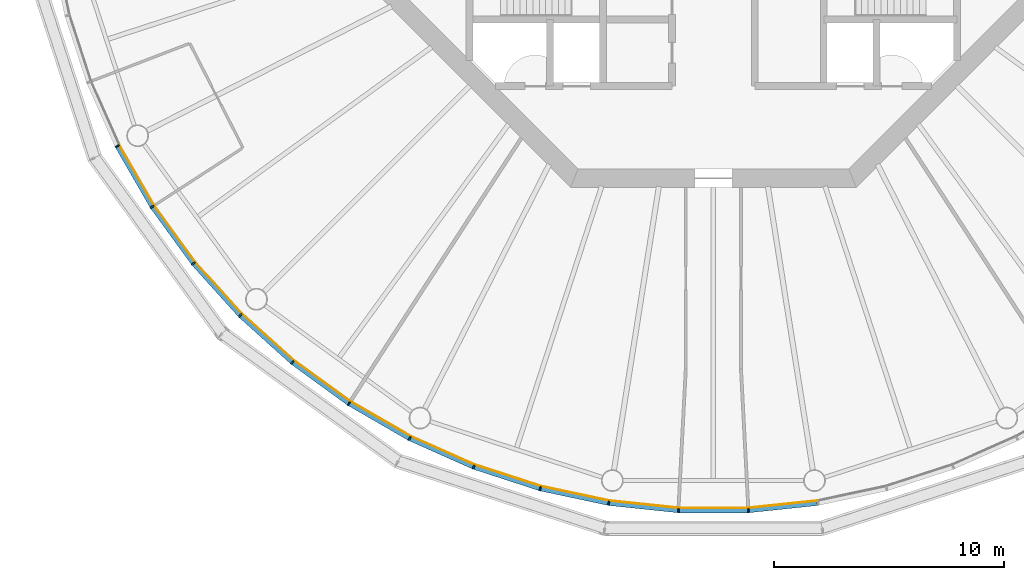
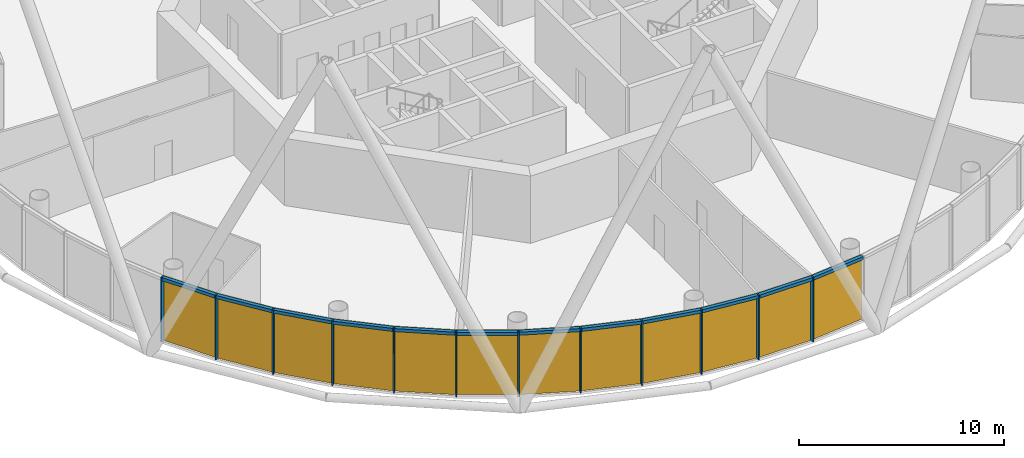
# One storey, part 7 of 13: 24 members, 4 curtain walls.
"""IFC4 building model written with IfcOpenShell, lengths in metres."""

from ifc_helpers import new_model, si_unit, direction, frame, origin, origin_2d, place, context, subcontext, project, spatial, polyline, rectangle, outline, extrude, material, layer, layer_set, material_profile, profile_set, type_object, element, aggregate, save


model = new_model("IFC4")

# Units and contexts
model_context = context("Model", 3, precision=1e-05, world=origin(), true_north=direction((0.0, 1.0)))
body_context = subcontext(model_context, "Body", "Model", "MODEL_VIEW")
ifc_project = project(units=[si_unit("LENGTHUNIT", "METRE"), si_unit("AREAUNIT", "SQUARE_METRE"), si_unit("VOLUMEUNIT", "CUBIC_METRE"), si_unit("PLANEANGLEUNIT", "RADIAN"), si_unit("MASSUNIT", "GRAM", prefix="KILO")], contexts=[model_context])

# Member
ifc_material_1 = material(Name="Anodised aluminium", Category="aluminium")
ifc_material_profile_1 = material_profile(ifc_material_1, rectangle(XDim=0.06494140625, YDim=0.195068359375, at=origin_2d()), Name="Mullion 65 x 195 mm anodised aluminium")
ifc_profile_set_1 = profile_set([ifc_material_profile_1], Name="Anodised aluminium")
member_type_1 = type_object("IfcMemberType", Name="Mullion 65 x 195 mm anodised aluminium", PredefinedType="MULLION", material=ifc_profile_set_1)
site_placement = place(None, origin())
building_placement = place(site_placement, origin())
storey_placement = place(building_placement, frame((0.0, 0.0, 310.0)))
member_1_placement = place(storey_placement, frame((64.073974609375, 66.7900390625, 0.0), z_axis=(0.0, 0.0, 1.0), x_axis=(0.45399049974, -0.891006524188, 0.0)))
member_1 = element("IfcMember", 1, at=member_1_placement, type_object=member_type_1, Name="MULLION L71-33", PredefinedType="MULLION", context=body_context, shape_type="SweptSolid", body=[
    extrude(rectangle(XDim=0.06494140625, YDim=0.195068359375, at=origin_2d()), origin(), (0.0, 0.0, 1.0), 3.85009765625),
])

member_2_placement = place(storey_placement, frame((65.5966796875, 64.15234375, 0.0), z_axis=(0.0, 0.0, 1.0), x_axis=(0.544639035015, -0.838670567945, 0.0)))
member_2 = element("IfcMember", 2, at=member_2_placement, type_object=member_type_1, Name="MULLION L71-34", PredefinedType="MULLION", context=body_context, shape_type="SweptSolid", body=[
    extrude(rectangle(XDim=0.06494140625, YDim=0.195068359375, at=origin_2d()), origin(), (0.0, 0.0, 1.0), 3.85009765625),
])

member_3_placement = place(storey_placement, frame((67.386962890625, 61.688232421875, 0.0), z_axis=(0.0, 0.0, 1.0), x_axis=(0.62932039105, -0.777145961457, 0.0)))
member_3 = element("IfcMember", 3, at=member_3_placement, type_object=member_type_1, Name="MULLION L71-35", PredefinedType="MULLION", context=body_context, shape_type="SweptSolid", body=[
    extrude(rectangle(XDim=0.06494140625, YDim=0.195068359375, at=origin_2d()), origin(), (0.0, 0.0, 1.0), 3.85009765625),
])

member_4_placement = place(storey_placement, frame((69.425048828125, 59.425048828125, 0.0), z_axis=(0.0, 0.0, 1.0), x_axis=(0.707106781187, -0.707106781187, 0.0)))
member_4 = element("IfcMember", 4, at=member_4_placement, type_object=member_type_1, Name="MULLION L71-36", PredefinedType="MULLION", context=body_context, shape_type="SweptSolid", body=[
    extrude(rectangle(XDim=0.06494140625, YDim=0.195068359375, at=origin_2d()), origin(), (0.0, 0.0, 1.0), 3.85009765625),
])

member_5_placement = place(storey_placement, frame((71.688232421875, 57.386962890625, 0.0), z_axis=(0.0, 0.0, 1.0), x_axis=(0.777145961457, -0.62932039105, 0.0)))
member_5 = element("IfcMember", 5, at=member_5_placement, type_object=member_type_1, Name="MULLION L71-37", PredefinedType="MULLION", context=body_context, shape_type="SweptSolid", body=[
    extrude(rectangle(XDim=0.06494140625, YDim=0.195068359375, at=origin_2d()), origin(), (0.0, 0.0, 1.0), 3.85009765625),
])

member_6_placement = place(storey_placement, frame((74.15234375, 55.5966796875, 0.0), z_axis=(0.0, 0.0, 1.0), x_axis=(0.838670567945, -0.544639035015, 0.0)))
member_6 = element("IfcMember", 6, at=member_6_placement, type_object=member_type_1, Name="MULLION L71-38", PredefinedType="MULLION", context=body_context, shape_type="SweptSolid", body=[
    extrude(rectangle(XDim=0.06494140625, YDim=0.195068359375, at=origin_2d()), origin(), (0.0, 0.0, 1.0), 3.85009765625),
])

member_7_placement = place(storey_placement, frame((76.7900390625, 54.073974609375, 0.0), z_axis=(0.0, 0.0, 1.0), x_axis=(0.891006524188, -0.45399049974, 0.0)))
member_7 = element("IfcMember", 7, at=member_7_placement, type_object=member_type_1, Name="MULLION L71-39", PredefinedType="MULLION", context=body_context, shape_type="SweptSolid", body=[
    extrude(rectangle(XDim=0.06494140625, YDim=0.195068359375, at=origin_2d()), origin(), (0.0, 0.0, 1.0), 3.85009765625),
])

member_8_placement = place(storey_placement, frame((79.572509765625, 52.835205078125, 0.0), z_axis=(0.0, 0.0, 1.0), x_axis=(0.933580426497, -0.358367949545, 0.0)))
member_8 = element("IfcMember", 8, at=member_8_placement, type_object=member_type_1, Name="MULLION L71-40", PredefinedType="MULLION", context=body_context, shape_type="SweptSolid", body=[
    extrude(rectangle(XDim=0.06494140625, YDim=0.195068359375, at=origin_2d()), origin(), (0.0, 0.0, 1.0), 3.85009765625),
])

member_9_placement = place(storey_placement, frame((82.468994140625, 51.89404296875, 0.0), z_axis=(0.0, 0.0, 1.0), x_axis=(0.965925826289, -0.258819045103, 0.0)))
member_9 = element("IfcMember", 9, at=member_9_placement, type_object=member_type_1, Name="MULLION L71-41", PredefinedType="MULLION", context=body_context, shape_type="SweptSolid", body=[
    extrude(rectangle(XDim=0.06494140625, YDim=0.195068359375, at=origin_2d()), origin(), (0.0, 0.0, 1.0), 3.85009765625),
])

member_10_placement = place(storey_placement, frame((85.4482421875, 51.2607421875, 0.0), z_axis=(0.0, 0.0, 1.0), x_axis=(0.987688340595, -0.15643446504, 0.0)))
member_10 = element("IfcMember", 10, at=member_10_placement, type_object=member_type_1, Name="MULLION L71-42", PredefinedType="MULLION", context=body_context, shape_type="SweptSolid", body=[
    extrude(rectangle(XDim=0.06494140625, YDim=0.195068359375, at=origin_2d()), origin(), (0.0, 0.0, 1.0), 3.85009765625),
])

member_11_placement = place(storey_placement, frame((88.47705078125, 50.9423828125, 0.0), z_axis=(0.0, 0.0, 1.0), x_axis=(0.998629534755, -0.052335956243, 0.0)))
member_11 = element("IfcMember", 11, at=member_11_placement, type_object=member_type_1, Name="MULLION L71-43", PredefinedType="MULLION", context=body_context, shape_type="SweptSolid", body=[
    extrude(rectangle(XDim=0.06494140625, YDim=0.195068359375, at=origin_2d()), origin(), (0.0, 0.0, 1.0), 3.85009765625),
])

member_12_placement = place(storey_placement, frame((91.52294921875, 50.9423828125, 0.0), z_axis=(0.0, 0.0, 1.0), x_axis=(0.998629534755, 0.052335956243, 0.0)))
member_12 = element("IfcMember", 12, at=member_12_placement, type_object=member_type_1, Name="MULLION L71-44", PredefinedType="MULLION", context=body_context, shape_type="SweptSolid", body=[
    extrude(rectangle(XDim=0.06494140625, YDim=0.195068359375, at=origin_2d()), origin(), (0.0, 0.0, 1.0), 3.85009765625),
])

ifc_material_2 = material(Name="Anodised aluminium", Category="aluminium")
ifc_material_profile_2 = material_profile(ifc_material_2, rectangle(XDim=0.195068359375, YDim=0.179931640625, at=origin_2d()), Name="Transom 180 x 195 mm anodised aluminium")
ifc_profile_set_2 = profile_set([ifc_material_profile_2], Name="Anodised aluminium")
member_type_2 = type_object("IfcMemberType", Name="Transom 180 x 195 mm anodised aluminium", PredefinedType="USERDEFINED", material=ifc_profile_set_2)
member_13_placement = place(storey_placement, frame((64.092529296875, 66.75732421875, 3.760009765625), z_axis=(0.500028367561, -0.866009025146, 0.0), x_axis=(0.866009025146, 0.500028367561, 0.0)))
member_13 = element("IfcMember", 13, at=member_13_placement, type_object=member_type_2, Name="TRANSOM L71-33", ObjectType="TRANSOM", PredefinedType="USERDEFINED", context=body_context, shape_type="SweptSolid", body=[
    extrude(rectangle(XDim=0.195068359375, YDim=0.179931640625, at=origin_2d()), origin(), (0.0, 0.0, 1.0), 2.970458984375),
])

member_14_placement = place(storey_placement, frame((65.618896484375, 64.121826171875, 3.760009765625), z_axis=(0.587765987476, -0.809030990733, 0.0), x_axis=(0.809030990733, 0.587765987476, 0.0)))
member_14 = element("IfcMember", 14, at=member_14_placement, type_object=member_type_2, Name="TRANSOM L71-34", ObjectType="TRANSOM", PredefinedType="USERDEFINED", context=body_context, shape_type="SweptSolid", body=[
    extrude(rectangle(XDim=0.195068359375, YDim=0.179931640625, at=origin_2d()), origin(), (0.0, 0.0, 1.0), 2.97021484375),
])

member_15_placement = place(storey_placement, frame((67.412109375, 61.660400390625, 3.760009765625), z_axis=(0.669110027395, -0.743163354343, 0.0), x_axis=(0.743163354343, 0.669110027395, 0.0)))
member_15 = element("IfcMember", 15, at=member_15_placement, type_object=member_type_2, Name="TRANSOM L71-35", ObjectType="TRANSOM", PredefinedType="USERDEFINED", context=body_context, shape_type="SweptSolid", body=[
    extrude(rectangle(XDim=0.195068359375, YDim=0.179931640625, at=origin_2d()), origin(), (0.0, 0.0, 1.0), 2.970458984375),
])

member_16_placement = place(storey_placement, frame((69.452880859375, 59.399658203125, 3.760009765625), z_axis=(0.743163354343, -0.669110027395, 0.0), x_axis=(0.669110027395, 0.743163354343, 0.0)))
member_16 = element("IfcMember", 16, at=member_16_placement, type_object=member_type_2, Name="TRANSOM L71-36", ObjectType="TRANSOM", PredefinedType="USERDEFINED", context=body_context, shape_type="SweptSolid", body=[
    extrude(rectangle(XDim=0.195068359375, YDim=0.179931640625, at=origin_2d()), origin(), (0.0, 0.0, 1.0), 2.970458984375),
])

member_17_placement = place(storey_placement, frame((71.71875, 57.36474609375, 3.760009765625), z_axis=(0.809030990733, -0.587765987476, 0.0), x_axis=(0.587765987476, 0.809030990733, 0.0)))
member_17 = element("IfcMember", 17, at=member_17_placement, type_object=member_type_2, Name="TRANSOM L71-37", ObjectType="TRANSOM", PredefinedType="USERDEFINED", context=body_context, shape_type="SweptSolid", body=[
    extrude(rectangle(XDim=0.195068359375, YDim=0.179931640625, at=origin_2d()), origin(), (0.0, 0.0, 1.0), 2.97021484375),
])

member_18_placement = place(storey_placement, frame((74.184814453125, 55.577880859375, 3.760009765625), z_axis=(0.866009025146, -0.500028367561, 0.0), x_axis=(0.500028367561, 0.866009025146, 0.0)))
member_18 = element("IfcMember", 18, at=member_18_placement, type_object=member_type_2, Name="TRANSOM L71-38", ObjectType="TRANSOM", PredefinedType="USERDEFINED", context=body_context, shape_type="SweptSolid", body=[
    extrude(rectangle(XDim=0.195068359375, YDim=0.179931640625, at=origin_2d()), origin(), (0.0, 0.0, 1.0), 2.970458984375),
])

member_19_placement = place(storey_placement, frame((76.82421875, 54.05859375, 3.760009765625), z_axis=(0.913550406593, -0.406725527369, 0.0), x_axis=(0.406725527369, 0.913550406593, 0.0)))
member_19 = element("IfcMember", 19, at=member_19_placement, type_object=member_type_2, Name="TRANSOM L71-39", ObjectType="TRANSOM", PredefinedType="USERDEFINED", context=body_context, shape_type="SweptSolid", body=[
    extrude(rectangle(XDim=0.195068359375, YDim=0.179931640625, at=origin_2d()), origin(), (0.0, 0.0, 1.0), 2.970703125),
])

member_20_placement = place(storey_placement, frame((79.608154296875, 52.823486328125, 3.760009765625), z_axis=(0.951047960094, -0.309043326415, 0.0), x_axis=(0.309043326415, 0.951047960094, 0.0)))
member_20 = element("IfcMember", 20, at=member_20_placement, type_object=member_type_2, Name="TRANSOM L71-40", ObjectType="TRANSOM", PredefinedType="USERDEFINED", context=body_context, shape_type="SweptSolid", body=[
    extrude(rectangle(XDim=0.195068359375, YDim=0.179931640625, at=origin_2d()), origin(), (0.0, 0.0, 1.0), 2.970458984375),
])

member_21_placement = place(storey_placement, frame((82.505859375, 51.885986328125, 3.760009765625), z_axis=(0.978141510112, -0.207940342877, 0.0), x_axis=(0.207940342877, 0.978141510112, 0.0)))
member_21 = element("IfcMember", 21, at=member_21_placement, type_object=member_type_2, Name="TRANSOM L71-41", ObjectType="TRANSOM", PredefinedType="USERDEFINED", context=body_context, shape_type="SweptSolid", body=[
    extrude(rectangle(XDim=0.195068359375, YDim=0.179931640625, at=origin_2d()), origin(), (0.0, 0.0, 1.0), 2.970458984375),
])

member_22_placement = place(storey_placement, frame((85.485595703125, 51.256591796875, 3.760009765625), z_axis=(0.994528397827, -0.104466577987, 0.0), x_axis=(0.104466577987, 0.994528397827, 0.0)))
member_22 = element("IfcMember", 22, at=member_22_placement, type_object=member_type_2, Name="TRANSOM L71-42", ObjectType="TRANSOM", PredefinedType="USERDEFINED", context=body_context, shape_type="SweptSolid", body=[
    extrude(rectangle(XDim=0.195068359375, YDim=0.179931640625, at=origin_2d()), origin(), (0.0, 0.0, 1.0), 2.970458984375),
])

member_23_placement = place(storey_placement, frame((88.5146484375, 50.942138671875, 3.760009765625), z_axis=(1.0, 0.0, 0.0), x_axis=(0.0, 1.0, 0.0)))
member_23 = element("IfcMember", 23, at=member_23_placement, type_object=member_type_2, Name="TRANSOM L71-43", ObjectType="TRANSOM", PredefinedType="USERDEFINED", context=body_context, shape_type="SweptSolid", body=[
    extrude(rectangle(XDim=0.195068359375, YDim=0.179931640625, at=origin_2d()), origin(), (0.0, 0.0, 1.0), 2.970703125),
])

member_24_placement = place(storey_placement, frame((91.560302734375, 50.9462890625, 3.760009765625), z_axis=(0.994528397827, 0.104466577987, 0.0), x_axis=(-0.104466577987, 0.994528397827, 0.0)))
member_24 = element("IfcMember", 24, at=member_24_placement, type_object=member_type_2, Name="TRANSOM L71-44", ObjectType="TRANSOM", PredefinedType="USERDEFINED", context=body_context, shape_type="SweptSolid", body=[
    extrude(rectangle(XDim=0.195068359375, YDim=0.179931640625, at=origin_2d()), origin(), (0.0, 0.0, 1.0), 2.970458984375),
])

# Site, building, storey
site = spatial("IfcSite", under=ifc_project, at=site_placement, CompositionType="ELEMENT")
building = spatial("IfcBuilding", under=site, at=building_placement, Name="Entoto Ring Tower", CompositionType="ELEMENT")
storey = spatial("IfcBuildingStorey", under=building, at=storey_placement, Name="L71", CompositionType="ELEMENT", Elevation=310.0)

# Curtain wall
ifc_material_3 = material(Name="Clear low-iron glass", Category="glass")
ifc_layer = layer(ifc_material_3, 0.033935546875)
ifc_layer_set = layer_set([ifc_layer], Name="Clear low-iron glass")
curtain_wall_type = type_object("IfcCurtainWallType", Name="Curtain wall system CW5 glazing 34 mm", PredefinedType="NOTDEFINED", material=ifc_layer_set)
curtain_wall_1_placement = place(storey_placement, origin())
curtain_wall_1 = element("IfcCurtainWall", 25, at=curtain_wall_1_placement, inside=storey, type_object=curtain_wall_type, Name="CW5 L71-12", PredefinedType="NOTDEFINED", context=body_context, shape_type="SweptSolid", body=[
    extrude(outline(polyline([(64.160888671875, 66.834228515625), (65.678466796875, 64.20556640625), (67.462646484375, 61.749755859375), (69.493896484375, 59.493896484375), (69.51806640625, 59.51806640625), (67.4892578125, 61.771240234375), (65.70703125, 64.22412109375), (64.191162109375, 66.849853515625), (64.160888671875, 66.834228515625)])), origin(), (0.0, 0.0, 1.0), 3.85009765625),
])

aggregate(curtain_wall_1, [member_1, member_2, member_3, member_13, member_14, member_15])

curtain_wall_2_placement = place(storey_placement, origin())
curtain_wall_2 = element("IfcCurtainWall", 26, at=curtain_wall_2_placement, inside=storey, type_object=curtain_wall_type, Name="CW5 L71-13", PredefinedType="NOTDEFINED", context=body_context, shape_type="SweptSolid", body=[
    extrude(outline(polyline([(69.493896484375, 59.493896484375), (71.749755859375, 57.462646484375), (74.20556640625, 55.678466796875), (76.834228515625, 54.160888671875), (76.849853515625, 54.191162109375), (74.22412109375, 55.70703125), (71.771240234375, 57.4892578125), (69.51806640625, 59.51806640625), (69.493896484375, 59.493896484375)])), origin(), (0.0, 0.0, 1.0), 3.85009765625),
])

aggregate(curtain_wall_2, [member_4, member_5, member_6, member_16, member_17, member_18])

curtain_wall_3_placement = place(storey_placement, origin())
curtain_wall_3 = element("IfcCurtainWall", 27, at=curtain_wall_3_placement, inside=storey, type_object=curtain_wall_type, Name="CW5 L71-14", PredefinedType="NOTDEFINED", context=body_context, shape_type="SweptSolid", body=[
    extrude(outline(polyline([(76.834228515625, 54.160888671875), (79.607421875, 52.92626953125), (82.494140625, 51.988037109375), (85.46337890625, 51.35693359375), (85.46875, 51.390625), (82.503173828125, 52.02099609375), (79.61962890625, 52.9580078125), (76.849853515625, 54.191162109375), (76.834228515625, 54.160888671875)])), origin(), (0.0, 0.0, 1.0), 3.85009765625),
])

aggregate(curtain_wall_3, [member_7, member_8, member_9, member_19, member_20, member_21])

curtain_wall_4_placement = place(storey_placement, origin())
curtain_wall_4 = element("IfcCurtainWall", 28, at=curtain_wall_4_placement, inside=storey, type_object=curtain_wall_type, Name="CW5 L71-15", PredefinedType="NOTDEFINED", context=body_context, shape_type="SweptSolid", body=[
    extrude(outline(polyline([(85.46337890625, 51.35693359375), (88.482177734375, 51.039794921875), (91.517822265625, 51.039794921875), (94.53662109375, 51.35693359375), (94.53125, 51.390625), (91.515869140625, 51.07373046875), (88.484130859375, 51.07373046875), (85.46875, 51.390625), (85.46337890625, 51.35693359375)])), origin(), (0.0, 0.0, 1.0), 3.85009765625),
])

aggregate(curtain_wall_4, [member_10, member_11, member_12, member_22, member_23, member_24])

save(model, "model.ifc")
